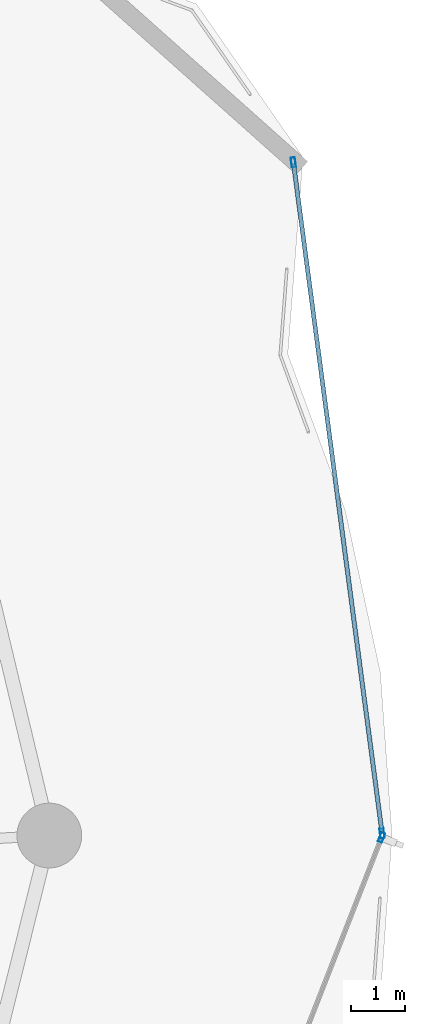
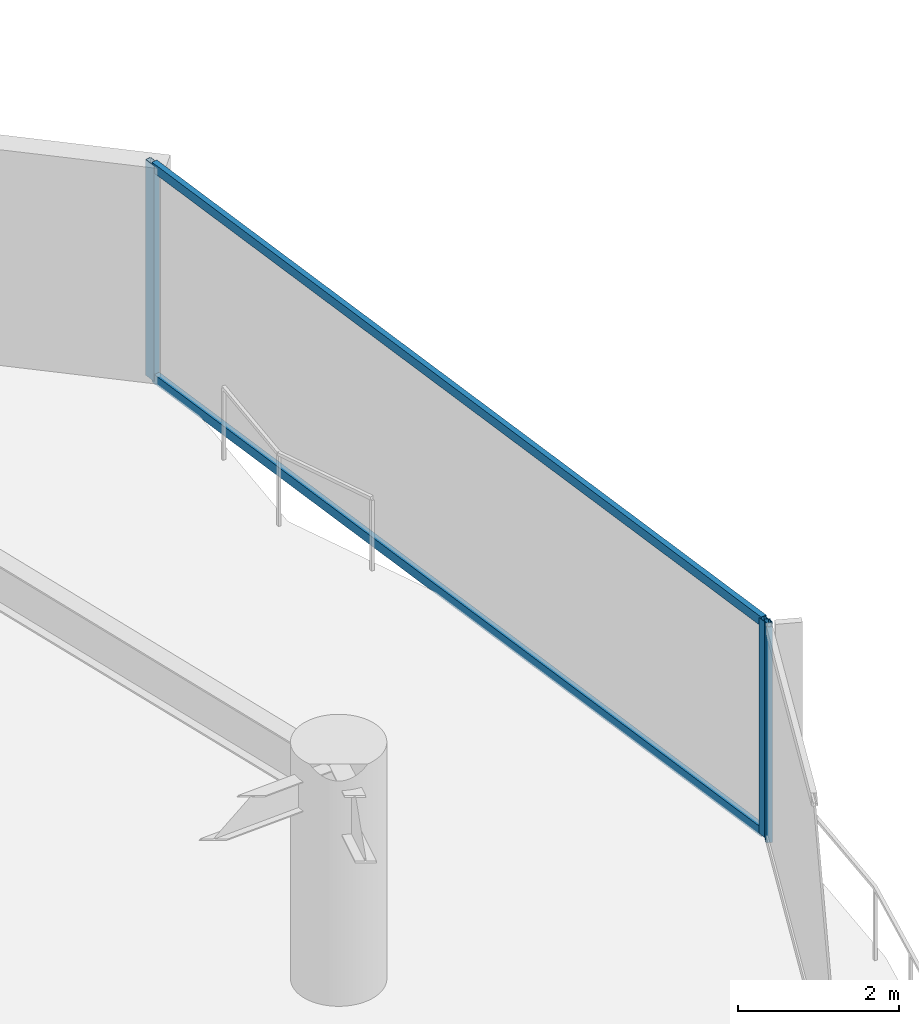
# One storey, part 24 of 33: 5 members, 2 elements without a shape of their own.
"""IFC4 building model written with IfcOpenShell, lengths in metres."""

from ifc_helpers import new_model, si_unit, direction, frame, origin, origin_2d, place, context, subcontext, project, spatial, hollow_rectangle, extrude, material, layer, layer_set, material_profile, profile_set, type_object, element, aggregate, save


model = new_model("IFC4")

# Units and contexts
model_context = context("Model", 3, precision=1e-05, world=origin(), true_north=direction((0.0, 1.0)))
body_context = subcontext(model_context, "Body", "Model", "MODEL_VIEW")
ifc_project = project(units=[si_unit("LENGTHUNIT", "METRE"), si_unit("AREAUNIT", "SQUARE_METRE"), si_unit("VOLUMEUNIT", "CUBIC_METRE"), si_unit("PLANEANGLEUNIT", "RADIAN"), si_unit("MASSUNIT", "GRAM", prefix="KILO")], contexts=[model_context])

# Site, building, storey
site_placement = place(None, origin())
site = spatial("IfcSite", under=ifc_project, at=site_placement, CompositionType="ELEMENT")
building_placement = place(site_placement, origin())
building = spatial("IfcBuilding", under=site, at=building_placement, Name="Kazevale Care Tower and Concert Hall", CompositionType="ELEMENT")
storey_placement = place(building_placement, frame((0.0, 0.0, 178.199951171875)))
storey = spatial("IfcBuildingStorey", under=building, at=storey_placement, Name="L47", CompositionType="ELEMENT", Elevation=178.199951171875)

# Curtain wall, member
ifc_material_1 = material(Name="Aluminium 6063-T6 and Low-E Glass", Category="aluminium")
ifc_layer = layer(ifc_material_1, 0.179931640625)
ifc_layer_set = layer_set([ifc_layer], Name="Aluminium 6063-T6 and Low-E Glass")
curtain_wall_type = type_object("IfcCurtainWallType", Name="Waist & Upper Residential Curtain Wall CW-4", PredefinedType="NOTDEFINED", material=ifc_layer_set)
curtain_wall_1_placement = place(storey_placement, origin())
curtain_wall_1 = element("IfcCurtainWall", 1, at=curtain_wall_1_placement, inside=storey, type_object=curtain_wall_type, Name="cw:L47:f01", PredefinedType="NOTDEFINED")
ifc_material_2 = material(Name="Aluminium 6063-T6", Category="aluminium")
ifc_material_profile_1 = material_profile(ifc_material_2, hollow_rectangle(XDim=0.080078125, YDim=0.179931640625, WallThickness=0.0048828125, at=origin_2d()), Name="ALU80x180x5")
ifc_profile_set_1 = profile_set([ifc_material_profile_1], Name="Aluminium 6063-T6")
member_type_1 = type_object("IfcMemberType", Name="CW-4 Mullion ALU80x180x5", PredefinedType="MULLION", material=ifc_profile_set_1)
member_1_placement = place(storey_placement, frame((79.205322265625, 37.962646484375, 0.0), z_axis=(0.0, 0.0, 1.0), x_axis=(0.931351746651, -0.36412075471, 0.0)))
member_1 = element("IfcMember", 2, at=member_1_placement, type_object=member_type_1, Name="CW-4 mullion 1", PredefinedType="MULLION", context=body_context, shape_type="SweptSolid", body=[
    extrude(hollow_rectangle(XDim=0.080078125, YDim=0.179931640625, WallThickness=0.0048828125, at=origin_2d()), origin(), (0.0, 0.0, 1.0), 3.280029296875),
])
aggregate(curtain_wall_1, [member_1])

# Curtain wall, members
curtain_wall_2_placement = place(storey_placement, origin())
curtain_wall_2 = element("IfcCurtainWall", 3, at=curtain_wall_2_placement, inside=storey, type_object=curtain_wall_type, Name="cw:L47:f18", PredefinedType="NOTDEFINED")
member_2_placement = place(storey_placement, frame((77.5712890625, 50.471435546875, 0.0), z_axis=(0.0, 0.0, 1.0), x_axis=(0.991374005382, 0.131063272711, 0.0)))
member_2 = element("IfcMember", 4, at=member_2_placement, type_object=member_type_1, Name="CW-4 mullion 1", PredefinedType="MULLION", context=body_context, shape_type="SweptSolid", body=[
    extrude(hollow_rectangle(XDim=0.080078125, YDim=0.179931640625, WallThickness=0.0048828125, at=origin_2d()), origin(), (0.0, 0.0, 1.0), 3.280029296875),
])
member_3_placement = place(storey_placement, frame((79.21484375, 38.03955078125, 0.0), z_axis=(0.0, 0.0, 1.0), x_axis=(0.991374005382, 0.131063272711, 0.0)))
member_3 = element("IfcMember", 5, at=member_3_placement, type_object=member_type_1, Name="CW-4 mullion 2", PredefinedType="MULLION", context=body_context, shape_type="SweptSolid", body=[
    extrude(hollow_rectangle(XDim=0.080078125, YDim=0.179931640625, WallThickness=0.0048828125, at=origin_2d()), origin(), (0.0, 0.0, 1.0), 3.280029296875),
])
ifc_material_profile_2 = material_profile(ifc_material_2, hollow_rectangle(XDim=0.080078125, YDim=0.139892578125, WallThickness=0.00390625, at=origin_2d()), Name="ALU80x140x4")
ifc_profile_set_2 = profile_set([ifc_material_profile_2], Name="Aluminium 6063-T6")
member_type_2 = type_object("IfcMemberType", Name="CW-4 Transom ALU80x140x4", PredefinedType="USERDEFINED", material=ifc_profile_set_2)
member_4_placement = place(storey_placement, frame((77.576416015625, 50.431640625, 0.0400390625), z_axis=(0.131066272735, -0.991373608763, 0.0), x_axis=(0.991373608763, 0.131066272735, 0.0)))
member_4 = element("IfcMember", 6, at=member_4_placement, type_object=member_type_2, Name="CW-4 transom 1.1", ObjectType="TRANSOM", PredefinedType="USERDEFINED", context=body_context, shape_type="SweptSolid", body=[
    extrude(hollow_rectangle(XDim=0.080078125, YDim=0.139892578125, WallThickness=0.00390625, at=origin_2d()), origin(), (0.0, 0.0, 1.0), 12.459716796875),
])
member_5_placement = place(storey_placement, frame((77.576416015625, 50.431640625, 3.239990234375), z_axis=(0.131066272735, -0.991373608763, 0.0), x_axis=(0.991373608763, 0.131066272735, 0.0)))
member_5 = element("IfcMember", 7, at=member_5_placement, type_object=member_type_2, Name="CW-4 transom 1.2", ObjectType="TRANSOM", PredefinedType="USERDEFINED", context=body_context, shape_type="SweptSolid", body=[
    extrude(hollow_rectangle(XDim=0.080078125, YDim=0.139892578125, WallThickness=0.00390625, at=origin_2d()), origin(), (0.0, 0.0, 1.0), 12.459716796875),
])
aggregate(curtain_wall_2, [member_2, member_3, member_4, member_5])

save(model, "model.ifc")
